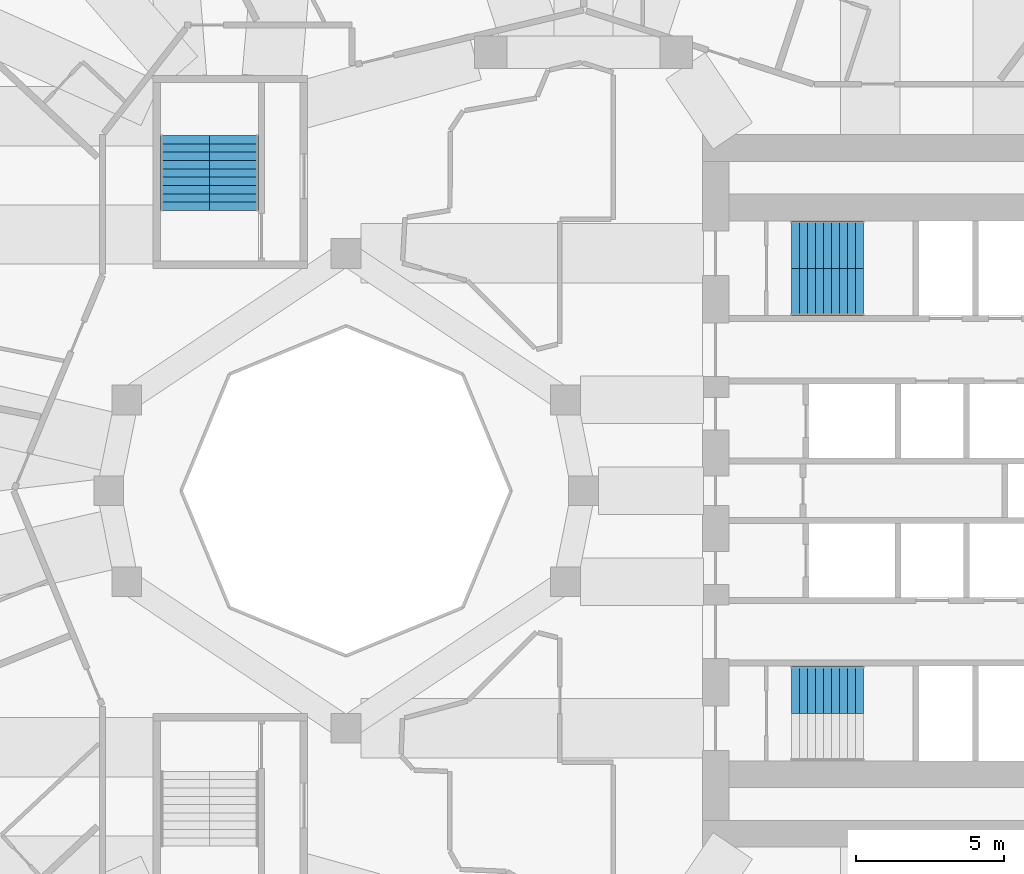
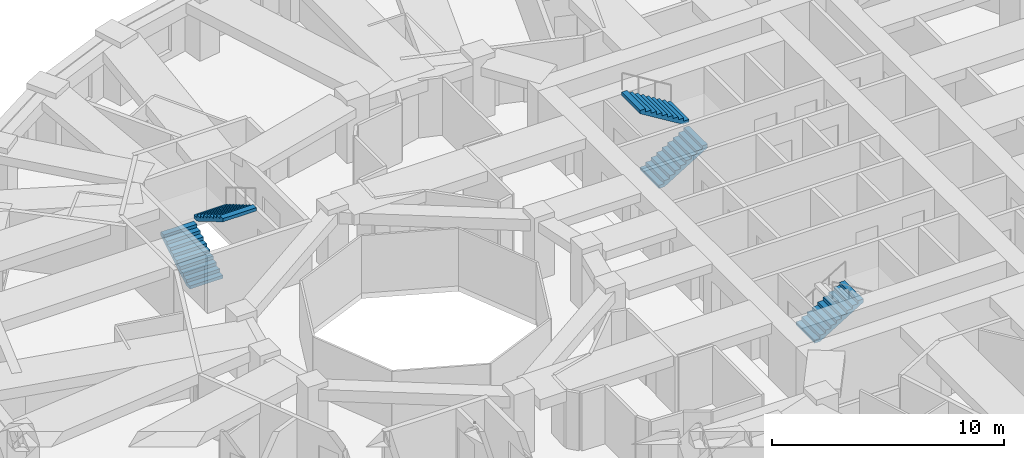
# One storey, part 10 of 13: 5 stair flights, 3 elements without a shape of their own.
"""IFC4 building model written with IfcOpenShell, lengths in metres."""

from ifc_helpers import new_model, si_unit, direction, frame, origin, place, context, subcontext, project, spatial, polyline, outline, extrude, material, type_object, element, aggregate, save


model = new_model("IFC4")

# Units and contexts
model_context = context("Model", 3, precision=1e-05, world=origin(), true_north=direction((0.0, 1.0)))
body_context = subcontext(model_context, "Body", "Model", "MODEL_VIEW")
ifc_project = project(units=[si_unit("LENGTHUNIT", "METRE"), si_unit("AREAUNIT", "SQUARE_METRE"), si_unit("VOLUMEUNIT", "CUBIC_METRE"), si_unit("PLANEANGLEUNIT", "RADIAN"), si_unit("MASSUNIT", "GRAM", prefix="KILO")], contexts=[model_context])

# Site, building, storey
site_placement = place(None, origin())
site = spatial("IfcSite", under=ifc_project, at=site_placement, CompositionType="ELEMENT")
building_placement = place(site_placement, origin())
building = spatial("IfcBuilding", under=site, at=building_placement, Name="Taillehof Tower", CompositionType="ELEMENT")
storey_placement = place(building_placement, frame((0.0, 0.0, 71.199951171875)))
storey = spatial("IfcBuildingStorey", under=building, at=storey_placement, Name="L19", CompositionType="ELEMENT", Elevation=71.199951171875)

# Stair, stair flights
ifc_material_1 = material(Name="Concrete C40/50", Category="concrete")
stair_type = type_object("IfcStairType", Name="Exit stair half-turn", PredefinedType="HALF_TURN_STAIR", material=ifc_material_1)
stair_1_placement = place(storey_placement, origin())
stair_1 = element("IfcStair", 1, at=stair_1_placement, inside=storey, type_object=stair_type, Name="Exit stair S1", PredefinedType="HALF_TURN_STAIR")
ifc_material_2 = material(Name="Concrete C40/50", Category="concrete")
stair_flight_type_1 = type_object("IfcStairFlightType", Name="Stair flight 1600 riser 165.0 going 270", PredefinedType="STRAIGHT", material=ifc_material_2)
stair_flight_1_placement = place(storey_placement, frame((7.0, 6.699951171875, 0.0), z_axis=(0.0, 0.0, 1.0), x_axis=(1.0, 0.0, 0.0)))
stair_flight_1 = element("IfcStairFlight", 2, at=stair_flight_1_placement, type_object=stair_flight_type_1, Name="S1 flight 1", NumberOfRisers=10, NumberOfTreads=9, PredefinedType="STRAIGHT", RiserHeight=0.165, TreadLength=0.27, context=body_context, shape_type="SweptSolid", body=[
    extrude(outline(polyline([(0.0, 0.0), (0.0, 0.00537109375), (0.0, 0.0107421875), (0.0, 0.015869140625), (0.0, 0.021240234375), (0.0, 0.026611328125), (0.0, 0.031982421875), (0.0, 0.037353515625), (0.0, 0.04248046875), (0.0, 0.0478515625), (0.0, 0.05322265625), (0.0, 0.05859375), (0.0, 0.06396484375), (0.0, 0.069091796875), (0.0, 0.074462890625), (0.0, 0.079833984375), (0.0, 0.085205078125), (0.0, 0.090576171875), (0.0, 0.095703125), (0.0, 0.10107421875), (0.0, 0.1064453125), (0.0, 0.11181640625), (0.0, 0.1171875), (0.0, 0.122314453125), (0.0, 0.127685546875), (0.0, 0.133056640625), (0.0, 0.138427734375), (0.0, 0.143798828125), (0.0, 0.14892578125), (0.0, 0.154296875), (0.0, 0.15966796875), (0.0, 0.1650390625), (0.27001953125, 0.1650390625), (0.27001953125, 0.330078125), (0.5400390625, 0.330078125), (0.5400390625, 0.4951171875), (0.81005859375, 0.4951171875), (0.81005859375, 0.659912109375), (1.080078125, 0.659912109375), (1.080078125, 0.824951171875), (1.35009765625, 0.824951171875), (1.35009765625, 0.989990234375), (1.6201171875, 0.989990234375), (1.6201171875, 1.155029296875), (1.889892578125, 1.155029296875), (1.889892578125, 1.320068359375), (2.159912109375, 1.320068359375), (2.159912109375, 1.485107421875), (2.429931640625, 1.485107421875), (2.429931640625, 1.479248046875), (2.429931640625, 1.4736328125), (2.429931640625, 1.468017578125), (2.429931640625, 1.46240234375), (2.429931640625, 1.45654296875), (2.429931640625, 1.450927734375), (2.429931640625, 1.4453125), (2.429931640625, 1.439697265625), (2.429931640625, 1.43408203125), (2.429931640625, 1.42822265625), (2.429931640625, 1.422607421875), (2.429931640625, 1.4169921875), (2.429931640625, 1.411376953125), (2.429931640625, 1.40576171875), (2.429931640625, 1.39990234375), (2.429931640625, 1.394287109375), (2.429931640625, 1.388671875), (2.429931640625, 1.383056640625), (2.429931640625, 1.37744140625), (2.429931640625, 1.37158203125), (2.429931640625, 1.365966796875), (2.429931640625, 1.3603515625), (2.429931640625, 1.354736328125), (2.429931640625, 1.348876953125), (2.429931640625, 1.34326171875), (2.429931640625, 1.337646484375), (2.429931640625, 1.33203125), (2.429931640625, 1.326416015625), (2.429931640625, 1.320556640625), (2.429931640625, 1.31494140625), (2.429931640625, 1.309326171875), (0.287353515625, 0.0), (0.0, 0.0)])), frame((0.0, 0.800048828125, 0.0), z_axis=(0.0, -1.0, 0.0), x_axis=(1.0, 0.0, 0.0)), (0.0, 0.0, 1.0), 1.6),
])
stair_flight_2_placement = place(storey_placement, frame((9.429931640625, 8.300048828125, 1.650146484375), z_axis=(0.0, 0.0, 1.0), x_axis=(-1.0, 0.0, 0.0)))
stair_flight_2 = element("IfcStairFlight", 3, at=stair_flight_2_placement, type_object=stair_flight_type_1, Name="S1 flight 2", NumberOfRisers=10, NumberOfTreads=9, PredefinedType="STRAIGHT", RiserHeight=0.165, TreadLength=0.27, context=body_context, shape_type="SweptSolid", body=[
    extrude(outline(polyline([(0.0, 0.0), (0.0, 0.00537109375), (0.0, 0.0107421875), (0.0, 0.015869140625), (0.0, 0.021240234375), (0.0, 0.026611328125), (0.0, 0.031982421875), (0.0, 0.037353515625), (0.0, 0.04248046875), (0.0, 0.0478515625), (0.0, 0.05322265625), (0.0, 0.05859375), (0.0, 0.06396484375), (0.0, 0.069091796875), (0.0, 0.074462890625), (0.0, 0.079833984375), (0.0, 0.085205078125), (0.0, 0.090576171875), (0.0, 0.095703125), (0.0, 0.10107421875), (0.0, 0.1064453125), (0.0, 0.11181640625), (0.0, 0.1171875), (0.0, 0.122314453125), (0.0, 0.127685546875), (0.0, 0.133056640625), (0.0, 0.138427734375), (0.0, 0.143798828125), (0.0, 0.14892578125), (0.0, 0.154296875), (0.0, 0.15966796875), (0.0, 0.1650390625), (0.27001953125, 0.1650390625), (0.27001953125, 0.330078125), (0.5400390625, 0.330078125), (0.5400390625, 0.4951171875), (0.81005859375, 0.4951171875), (0.81005859375, 0.659912109375), (1.080078125, 0.659912109375), (1.080078125, 0.824951171875), (1.35009765625, 0.824951171875), (1.35009765625, 0.989990234375), (1.6201171875, 0.989990234375), (1.6201171875, 1.155029296875), (1.889892578125, 1.155029296875), (1.889892578125, 1.320068359375), (2.159912109375, 1.320068359375), (2.159912109375, 1.485107421875), (2.429931640625, 1.485107421875), (2.429931640625, 1.479248046875), (2.429931640625, 1.4736328125), (2.429931640625, 1.468017578125), (2.429931640625, 1.46240234375), (2.429931640625, 1.45654296875), (2.429931640625, 1.450927734375), (2.429931640625, 1.4453125), (2.429931640625, 1.439697265625), (2.429931640625, 1.43408203125), (2.429931640625, 1.42822265625), (2.429931640625, 1.422607421875), (2.429931640625, 1.4169921875), (2.429931640625, 1.411376953125), (2.429931640625, 1.40576171875), (2.429931640625, 1.39990234375), (2.429931640625, 1.394287109375), (2.429931640625, 1.388671875), (2.429931640625, 1.383056640625), (2.429931640625, 1.37744140625), (2.429931640625, 1.37158203125), (2.429931640625, 1.365966796875), (2.429931640625, 1.3603515625), (2.429931640625, 1.354736328125), (2.429931640625, 1.348876953125), (2.429931640625, 1.34326171875), (2.429931640625, 1.337646484375), (2.429931640625, 1.33203125), (2.429931640625, 1.326416015625), (2.429931640625, 1.320556640625), (2.429931640625, 1.31494140625), (2.429931640625, 1.309326171875), (0.287353515625, 0.0), (0.0, 0.0)])), frame((0.0, 0.800048828125, 0.0), z_axis=(0.0, -1.0, 0.0), x_axis=(1.0, 0.0, 0.0)), (0.0, 0.0, 1.0), 1.6),
])
aggregate(stair_1, [stair_flight_1, stair_flight_2])

# Stair, stair flight
stair_2_placement = place(storey_placement, origin())
stair_2 = element("IfcStair", 4, at=stair_2_placement, inside=storey, type_object=stair_type, Name="Exit stair S2", PredefinedType="HALF_TURN_STAIR")
stair_flight_3_placement = place(storey_placement, frame((7.0, -6.699951171875, 0.0), z_axis=(0.0, 0.0, 1.0), x_axis=(1.0, 0.0, 0.0)))
stair_flight_3 = element("IfcStairFlight", 5, at=stair_flight_3_placement, type_object=stair_flight_type_1, Name="S2 flight 1", NumberOfRisers=10, NumberOfTreads=9, PredefinedType="STRAIGHT", RiserHeight=0.165, TreadLength=0.27, context=body_context, shape_type="SweptSolid", body=[
    extrude(outline(polyline([(0.0, 0.0), (0.0, 0.00537109375), (0.0, 0.0107421875), (0.0, 0.015869140625), (0.0, 0.021240234375), (0.0, 0.026611328125), (0.0, 0.031982421875), (0.0, 0.037353515625), (0.0, 0.04248046875), (0.0, 0.0478515625), (0.0, 0.05322265625), (0.0, 0.05859375), (0.0, 0.06396484375), (0.0, 0.069091796875), (0.0, 0.074462890625), (0.0, 0.079833984375), (0.0, 0.085205078125), (0.0, 0.090576171875), (0.0, 0.095703125), (0.0, 0.10107421875), (0.0, 0.1064453125), (0.0, 0.11181640625), (0.0, 0.1171875), (0.0, 0.122314453125), (0.0, 0.127685546875), (0.0, 0.133056640625), (0.0, 0.138427734375), (0.0, 0.143798828125), (0.0, 0.14892578125), (0.0, 0.154296875), (0.0, 0.15966796875), (0.0, 0.1650390625), (0.27001953125, 0.1650390625), (0.27001953125, 0.330078125), (0.5400390625, 0.330078125), (0.5400390625, 0.4951171875), (0.81005859375, 0.4951171875), (0.81005859375, 0.659912109375), (1.080078125, 0.659912109375), (1.080078125, 0.824951171875), (1.35009765625, 0.824951171875), (1.35009765625, 0.989990234375), (1.6201171875, 0.989990234375), (1.6201171875, 1.155029296875), (1.889892578125, 1.155029296875), (1.889892578125, 1.320068359375), (2.159912109375, 1.320068359375), (2.159912109375, 1.485107421875), (2.429931640625, 1.485107421875), (2.429931640625, 1.479248046875), (2.429931640625, 1.4736328125), (2.429931640625, 1.468017578125), (2.429931640625, 1.46240234375), (2.429931640625, 1.45654296875), (2.429931640625, 1.450927734375), (2.429931640625, 1.4453125), (2.429931640625, 1.439697265625), (2.429931640625, 1.43408203125), (2.429931640625, 1.42822265625), (2.429931640625, 1.422607421875), (2.429931640625, 1.4169921875), (2.429931640625, 1.411376953125), (2.429931640625, 1.40576171875), (2.429931640625, 1.39990234375), (2.429931640625, 1.394287109375), (2.429931640625, 1.388671875), (2.429931640625, 1.383056640625), (2.429931640625, 1.37744140625), (2.429931640625, 1.37158203125), (2.429931640625, 1.365966796875), (2.429931640625, 1.3603515625), (2.429931640625, 1.354736328125), (2.429931640625, 1.348876953125), (2.429931640625, 1.34326171875), (2.429931640625, 1.337646484375), (2.429931640625, 1.33203125), (2.429931640625, 1.326416015625), (2.429931640625, 1.320556640625), (2.429931640625, 1.31494140625), (2.429931640625, 1.309326171875), (0.287353515625, 0.0), (0.0, 0.0)])), frame((0.0, 0.800048828125, 0.0), z_axis=(0.0, -1.0, 0.0), x_axis=(1.0, 0.0, 0.0)), (0.0, 0.0, 1.0), 1.6),
])
aggregate(stair_2, [stair_flight_3])

# Stair, stair flights
stair_3_placement = place(storey_placement, origin())
stair_3 = element("IfcStair", 6, at=stair_3_placement, inside=storey, type_object=stair_type, Name="Exit stair S3", PredefinedType="HALF_TURN_STAIR")
ifc_material_3 = material(Name="Concrete C40/50", Category="concrete")
stair_flight_type_2 = type_object("IfcStairFlightType", Name="Stair flight 1650 riser 165.0 going 280", PredefinedType="STRAIGHT", material=ifc_material_3)
stair_flight_4_placement = place(storey_placement, frame((-13.425048828125, 9.449951171875, 0.0), z_axis=(0.0, 0.0, 1.0), x_axis=(0.0, 1.0, 0.0)))
stair_flight_4 = element("IfcStairFlight", 7, at=stair_flight_4_placement, type_object=stair_flight_type_2, Name="S3 flight 1", NumberOfRisers=10, NumberOfTreads=9, PredefinedType="STRAIGHT", RiserHeight=0.165, TreadLength=0.28, context=body_context, shape_type="SweptSolid", body=[
    extrude(outline(polyline([(0.0, 0.0), (0.0, 0.00537109375), (0.0, 0.0107421875), (0.0, 0.015869140625), (0.0, 0.021240234375), (0.0, 0.026611328125), (0.0, 0.031982421875), (0.0, 0.037353515625), (0.0, 0.04248046875), (0.0, 0.0478515625), (0.0, 0.05322265625), (0.0, 0.05859375), (0.0, 0.06396484375), (0.0, 0.069091796875), (0.0, 0.074462890625), (0.0, 0.079833984375), (0.0, 0.085205078125), (0.0, 0.090576171875), (0.0, 0.095703125), (0.0, 0.10107421875), (0.0, 0.1064453125), (0.0, 0.11181640625), (0.0, 0.1171875), (0.0, 0.122314453125), (0.0, 0.127685546875), (0.0, 0.133056640625), (0.0, 0.138427734375), (0.0, 0.143798828125), (0.0, 0.14892578125), (0.0, 0.154296875), (0.0, 0.15966796875), (0.0, 0.1650390625), (0.280029296875, 0.1650390625), (0.280029296875, 0.330078125), (0.56005859375, 0.330078125), (0.56005859375, 0.4951171875), (0.840087890625, 0.4951171875), (0.840087890625, 0.659912109375), (1.1201171875, 0.659912109375), (1.1201171875, 0.824951171875), (1.39990234375, 0.824951171875), (1.39990234375, 0.989990234375), (1.679931640625, 0.989990234375), (1.679931640625, 1.155029296875), (1.9599609375, 1.155029296875), (1.9599609375, 1.320068359375), (2.239990234375, 1.320068359375), (2.239990234375, 1.485107421875), (2.52001953125, 1.485107421875), (2.52001953125, 1.4794921875), (2.52001953125, 1.473876953125), (2.52001953125, 1.46826171875), (2.52001953125, 1.462646484375), (2.52001953125, 1.45703125), (2.52001953125, 1.451416015625), (2.52001953125, 1.44580078125), (2.52001953125, 1.440185546875), (2.52001953125, 1.4345703125), (2.52001953125, 1.428955078125), (2.52001953125, 1.42333984375), (2.52001953125, 1.417724609375), (2.52001953125, 1.412109375), (2.52001953125, 1.406494140625), (2.52001953125, 1.40087890625), (2.52001953125, 1.395263671875), (2.52001953125, 1.3896484375), (2.52001953125, 1.384033203125), (2.52001953125, 1.37841796875), (2.52001953125, 1.372802734375), (2.52001953125, 1.3671875), (2.52001953125, 1.361572265625), (2.52001953125, 1.35595703125), (2.52001953125, 1.350341796875), (2.52001953125, 1.3447265625), (2.52001953125, 1.339111328125), (2.52001953125, 1.33349609375), (2.52001953125, 1.327880859375), (2.52001953125, 1.322265625), (2.52001953125, 1.316650390625), (2.52001953125, 1.31103515625), (0.295166015625, 0.0), (0.0, 0.0)])), frame((0.0, 0.824951171875, 0.0), z_axis=(0.0, -1.0, 0.0), x_axis=(1.0, 0.0, 0.0)), (0.0, 0.0, 1.0), 1.65),
])
stair_flight_5_placement = place(storey_placement, frame((-11.77490234375, 11.969970703125, 1.650146484375), z_axis=(0.0, 0.0, 1.0), x_axis=(0.0, -1.0, 0.0)))
stair_flight_5 = element("IfcStairFlight", 8, at=stair_flight_5_placement, type_object=stair_flight_type_2, Name="S3 flight 2", NumberOfRisers=10, NumberOfTreads=9, PredefinedType="STRAIGHT", RiserHeight=0.165, TreadLength=0.28, context=body_context, shape_type="SweptSolid", body=[
    extrude(outline(polyline([(0.0, 0.0), (0.0, 0.00537109375), (0.0, 0.0107421875), (0.0, 0.015869140625), (0.0, 0.021240234375), (0.0, 0.026611328125), (0.0, 0.031982421875), (0.0, 0.037353515625), (0.0, 0.04248046875), (0.0, 0.0478515625), (0.0, 0.05322265625), (0.0, 0.05859375), (0.0, 0.06396484375), (0.0, 0.069091796875), (0.0, 0.074462890625), (0.0, 0.079833984375), (0.0, 0.085205078125), (0.0, 0.090576171875), (0.0, 0.095703125), (0.0, 0.10107421875), (0.0, 0.1064453125), (0.0, 0.11181640625), (0.0, 0.1171875), (0.0, 0.122314453125), (0.0, 0.127685546875), (0.0, 0.133056640625), (0.0, 0.138427734375), (0.0, 0.143798828125), (0.0, 0.14892578125), (0.0, 0.154296875), (0.0, 0.15966796875), (0.0, 0.1650390625), (0.280029296875, 0.1650390625), (0.280029296875, 0.330078125), (0.56005859375, 0.330078125), (0.56005859375, 0.4951171875), (0.840087890625, 0.4951171875), (0.840087890625, 0.659912109375), (1.1201171875, 0.659912109375), (1.1201171875, 0.824951171875), (1.39990234375, 0.824951171875), (1.39990234375, 0.989990234375), (1.679931640625, 0.989990234375), (1.679931640625, 1.155029296875), (1.9599609375, 1.155029296875), (1.9599609375, 1.320068359375), (2.239990234375, 1.320068359375), (2.239990234375, 1.485107421875), (2.52001953125, 1.485107421875), (2.52001953125, 1.4794921875), (2.52001953125, 1.473876953125), (2.52001953125, 1.46826171875), (2.52001953125, 1.462646484375), (2.52001953125, 1.45703125), (2.52001953125, 1.451416015625), (2.52001953125, 1.44580078125), (2.52001953125, 1.440185546875), (2.52001953125, 1.4345703125), (2.52001953125, 1.428955078125), (2.52001953125, 1.42333984375), (2.52001953125, 1.417724609375), (2.52001953125, 1.412109375), (2.52001953125, 1.406494140625), (2.52001953125, 1.40087890625), (2.52001953125, 1.395263671875), (2.52001953125, 1.3896484375), (2.52001953125, 1.384033203125), (2.52001953125, 1.37841796875), (2.52001953125, 1.372802734375), (2.52001953125, 1.3671875), (2.52001953125, 1.361572265625), (2.52001953125, 1.35595703125), (2.52001953125, 1.350341796875), (2.52001953125, 1.3447265625), (2.52001953125, 1.339111328125), (2.52001953125, 1.33349609375), (2.52001953125, 1.327880859375), (2.52001953125, 1.322265625), (2.52001953125, 1.316650390625), (2.52001953125, 1.31103515625), (0.295166015625, 0.0), (0.0, 0.0)])), frame((0.0, 0.824951171875, 0.0), z_axis=(0.0, -1.0, 0.0), x_axis=(1.0, 0.0, 0.0)), (0.0, 0.0, 1.0), 1.65),
])
aggregate(stair_3, [stair_flight_4, stair_flight_5])

save(model, "model.ifc")
